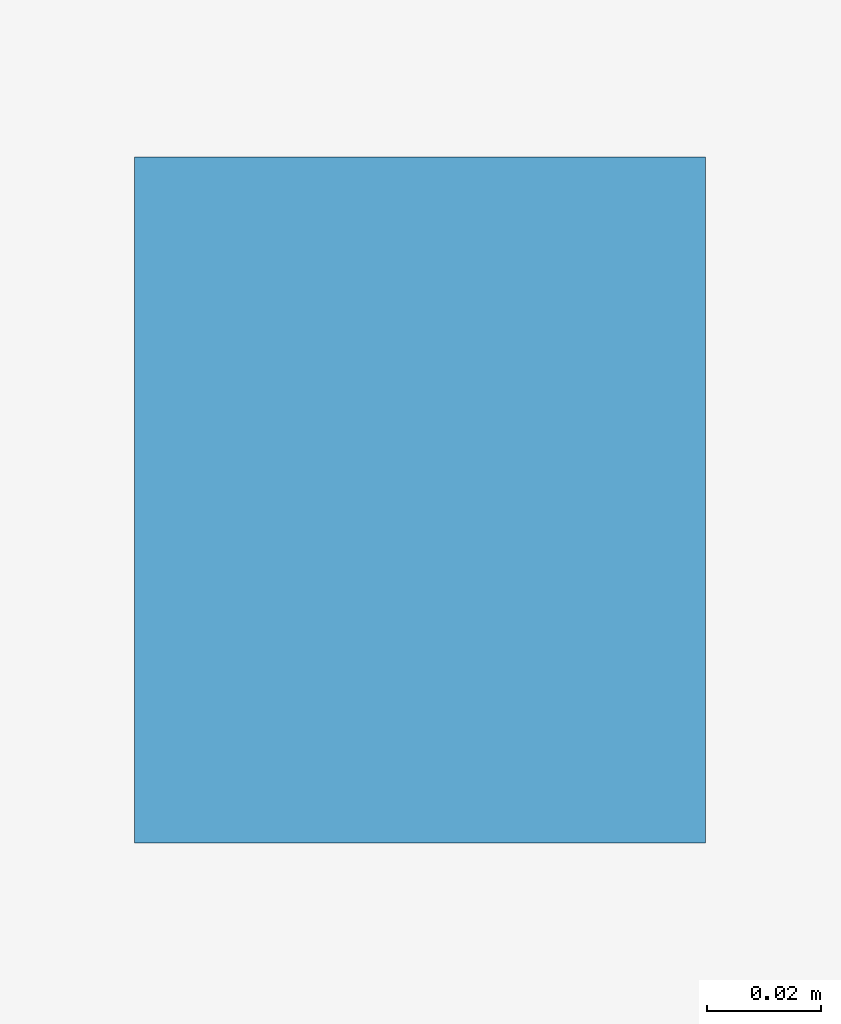
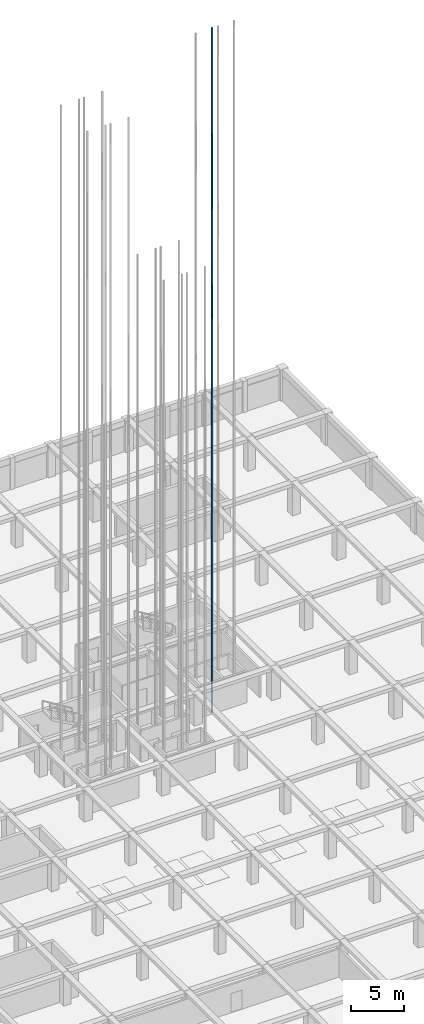
# One storey, part 42 of 47: 1 discrete accessory.
"""IFC4 building model written with IfcOpenShell, lengths in metres."""

from ifc_helpers import new_model, si_unit, direction, frame, origin, origin_2d, place, context, subcontext, project, spatial, rectangle, extrude, material, layer, layer_set, type_object, element, save


model = new_model("IFC4")

# Units and contexts
model_context = context("Model", 3, precision=1e-05, world=origin(), true_north=direction((0.0, 1.0)))
body_context = subcontext(model_context, "Body", "Model", "MODEL_VIEW")
ifc_project = project(units=[si_unit("LENGTHUNIT", "METRE"), si_unit("AREAUNIT", "SQUARE_METRE"), si_unit("VOLUMEUNIT", "CUBIC_METRE"), si_unit("PLANEANGLEUNIT", "RADIAN"), si_unit("MASSUNIT", "GRAM", prefix="KILO")], contexts=[model_context])

# Site, building, storey
site_placement = place(None, origin())
site = spatial("IfcSite", under=ifc_project, at=site_placement, CompositionType="ELEMENT")
building_placement = place(site_placement, origin())
building = spatial("IfcBuilding", under=site, at=building_placement, Name="Almacenes y Pasaje Nevantli", CompositionType="ELEMENT")
storey_placement = place(building_placement, frame((0.0, 0.0, -8.10009765625)))
storey = spatial("IfcBuildingStorey", under=building, at=storey_placement, Name="B02", CompositionType="ELEMENT", Elevation=-8.10009765625)

# Discrete accessory
ifc_material = material(Name="Steel ASTM A36", Category="steel")
ifc_layer = layer(ifc_material, 0.1201171875)
ifc_layer_set = layer_set([ifc_layer], Name="Steel ASTM A36")
discrete_accessory_type = type_object("IfcDiscreteAccessoryType", Name="ACC-LIFT-RAIL", PredefinedType="BRACKET", material=ifc_layer_set)
discrete_accessory_placement = place(storey_placement, frame((137.3798828125, 77.75, -1.199951171875), z_axis=(0.0, 0.0, 1.0), x_axis=(1.0, 0.0, 0.0)))
element("IfcDiscreteAccessory", 1, at=discrete_accessory_placement, inside=storey, type_object=discrete_accessory_type, Name="Elevator Steel T-Section Guide Rail ELV-FF1-E", PredefinedType="BRACKET", context=body_context, shape_type="SweptSolid", body=[
    extrude(rectangle(XDim=0.10009765625, YDim=0.1201171875, at=origin_2d()), origin(), (0.0, 0.0, 1.0), 78.5),
])

save(model, "model.ifc")
